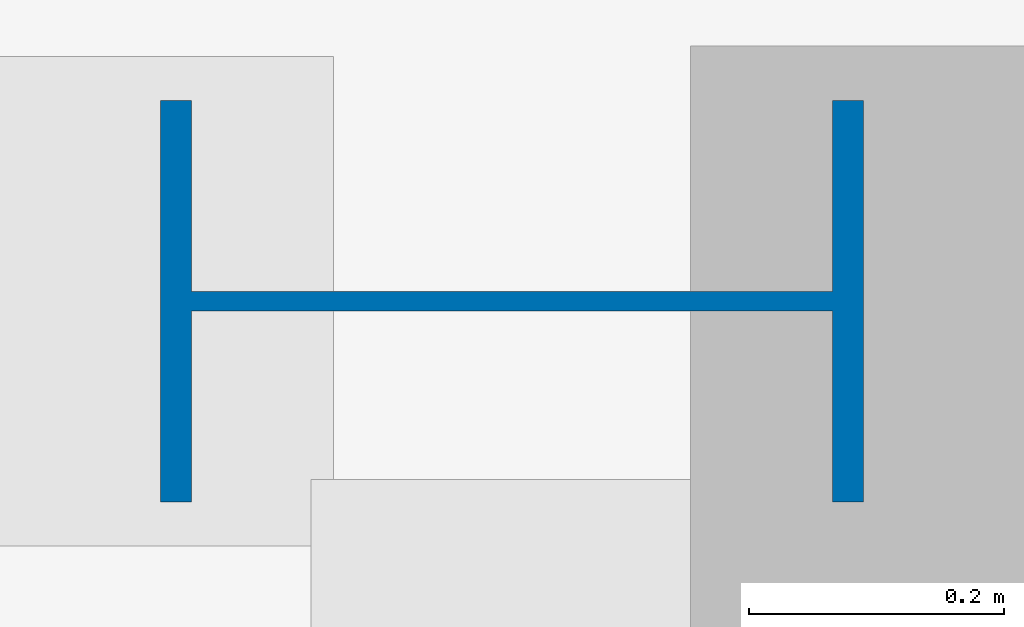
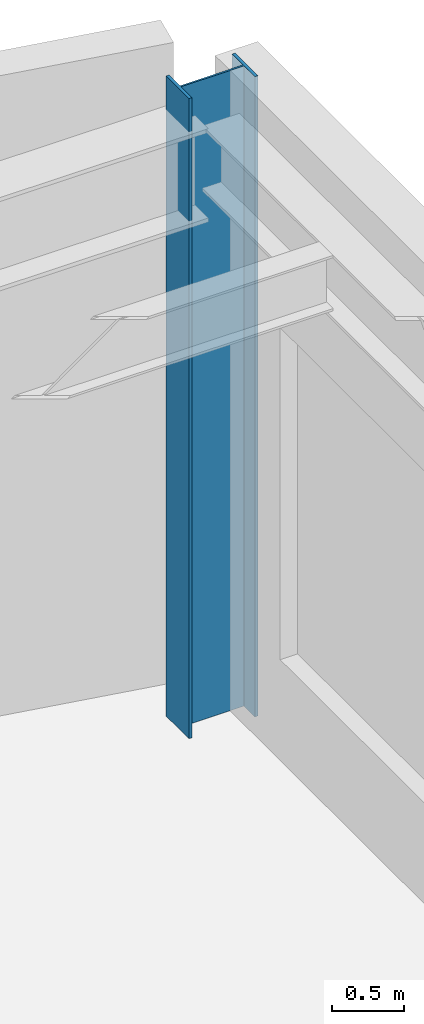
# One storey, part 14 of 98: 1 column.
"""IFC4 building model written with IfcOpenShell, lengths in metres."""

from ifc_helpers import new_model, si_unit, direction, frame, origin, origin_2d, place, context, subcontext, project, spatial, i_section, extrude, material, material_profile, profile_set, type_object, element, save


model = new_model("IFC4")

# Units and contexts
model_context = context("Model", 3, precision=1e-05, world=origin(), true_north=direction((0.0, 1.0)))
body_context = subcontext(model_context, "Body", "Model", "MODEL_VIEW")
ifc_project = project(units=[si_unit("LENGTHUNIT", "METRE"), si_unit("AREAUNIT", "SQUARE_METRE"), si_unit("VOLUMEUNIT", "CUBIC_METRE"), si_unit("PLANEANGLEUNIT", "RADIAN"), si_unit("MASSUNIT", "GRAM", prefix="KILO")], contexts=[model_context])

# Site, building, storey
site_placement = place(None, origin())
site = spatial("IfcSite", under=ifc_project, at=site_placement, CompositionType="ELEMENT")
building_placement = place(site_placement, origin())
building = spatial("IfcBuilding", under=site, at=building_placement, Name="Sollismere Congress Hotel", CompositionType="ELEMENT")
storey_placement = place(building_placement, frame((0.0, 0.0, 5.39990234375)))
storey = spatial("IfcBuildingStorey", under=building, at=storey_placement, Name="L01", CompositionType="ELEMENT", Elevation=5.39990234375)

# Column
ifc_material = material(Name="Steel ASTM A992 Grade 50", Category="steel")
ifc_material_profile = material_profile(ifc_material, i_section(OverallWidth=0.31494140625, OverallDepth=0.551025390625, WebThickness=0.01513671875, FlangeThickness=0.0244140625, at=origin_2d()), Name="W21X122")
ifc_profile_set = profile_set([ifc_material_profile], Name="Steel ASTM A992 Grade 50")
column_type = type_object("IfcColumnType", Name="COL-W21", PredefinedType="COLUMN", material=ifc_profile_set)
column_placement = place(storey_placement, frame((124.0, 102.39990234375, 0.0), z_axis=(0.0, 0.0, 1.0), x_axis=(0.0, 1.0, 0.0)))
element("IfcColumn", 1, at=column_placement, inside=storey, type_object=column_type, Name="Column CL-L01-1125", PredefinedType="COLUMN", context=body_context, shape_type="SweptSolid", body=[
    extrude(i_section(OverallWidth=0.31494140625, OverallDepth=0.551025390625, WebThickness=0.01513671875, FlangeThickness=0.0244140625, at=origin_2d()), origin(), (0.0, 0.0, 1.0), 5.400146484375),
])

save(model, "model.ifc")
